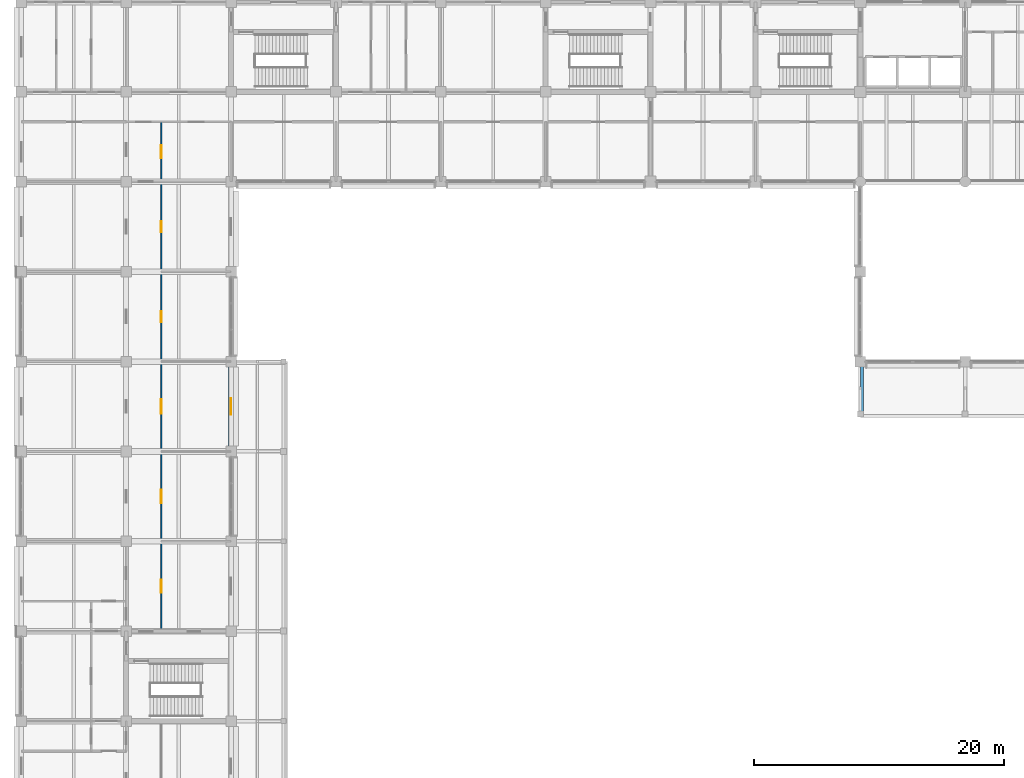
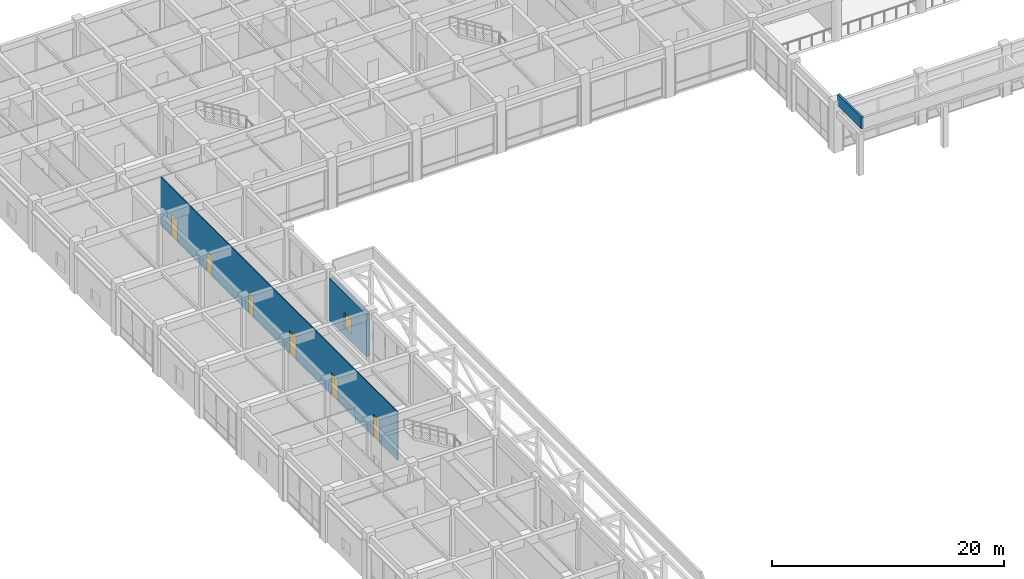
# One storey, part 38 of 68: 6 doors, 3 walls, 1 window, 7 openings.
"""IFC4 building model written with IfcOpenShell, lengths in metres."""

from ifc_helpers import new_model, si_unit, direction, frame, frame_2d, origin, place, context, subcontext, project, spatial, rectangle, extrude, material, layer, layer_set, type_object, element, fill, save


model = new_model("IFC4")

# Units and contexts
model_context = context("Model", 3, precision=1e-05, world=origin(), true_north=direction((0.0, 1.0)))
body_context = subcontext(model_context, "Body", "Model", "MODEL_VIEW")
ifc_project = project(units=[si_unit("LENGTHUNIT", "METRE"), si_unit("AREAUNIT", "SQUARE_METRE"), si_unit("VOLUMEUNIT", "CUBIC_METRE"), si_unit("PLANEANGLEUNIT", "RADIAN"), si_unit("MASSUNIT", "GRAM", prefix="KILO")], contexts=[model_context])

# Site, building, storey
site_placement = place(None, origin())
site = spatial("IfcSite", under=ifc_project, at=site_placement, CompositionType="ELEMENT")
building_placement = place(site_placement, origin())
building = spatial("IfcBuilding", under=site, at=building_placement, Name="Chengyuan Square Courthouse", CompositionType="ELEMENT")
storey_placement = place(building_placement, frame((0.0, 0.0, 5.39990234375)))
storey = spatial("IfcBuildingStorey", under=building, at=storey_placement, Name="L02", CompositionType="ELEMENT", Elevation=5.39990234375)

# Wall, opening, window
ifc_material_1 = material(Name="Concrete C40", Category="concrete")
ifc_layer_1 = layer(ifc_material_1, 0.3798828125)
ifc_layer_set_1 = layer_set([ifc_layer_1], Name="Concrete C40")
wall_type_1 = type_object("IfcWallType", Name="WL-EW1", PredefinedType="STANDARD", material=ifc_layer_set_1)
wall_1_placement = place(storey_placement, frame((16.800048828125, 58.02001953125, 0.0), z_axis=(0.0, 0.0, 1.0), x_axis=(0.0, 1.0, 0.0)))
wall_1 = element("IfcWall", 1, at=wall_1_placement, inside=storey, type_object=wall_type_1, Name="Exterior Wall WL-L02-E221", PredefinedType="STANDARD", context=body_context, shape_type="SweptSolid", body=[
    extrude(rectangle(XDim=6.35986328125, YDim=0.3798828125, at=frame_2d((3.179931640625, 0.0))), origin(), (0.0, 0.0, 1.0), 4.47021484375),
])
opening_1_placement = place(wall_1_placement, frame((2.5048828125, 0.0, 0.85009765625)))
opening_1 = element("IfcOpeningElement", 2, at=opening_1_placement, cuts=wall_1, Name="Opening WN-034", PredefinedType="OPENING", context=body_context, shape_type="SweptSolid", body=[
    extrude(rectangle(XDim=1.35009765625, YDim=1.56005859375, at=frame_2d((0.675048828125, 0.780029296875))), frame((0.0, 0.201904296875, 0.0), z_axis=(0.0, -1.0, 0.0), x_axis=(1.0, 0.0, 0.0)), (0.0, 0.0, 1.0), 0.40380859375),
])
ifc_material_2 = material(Name="Thermally Broken Aluminium Triple Low-E Window", Category="aluminium")
window_type = type_object("IfcWindowType", Name="WT-21", PartitioningType="SINGLE_PANEL", PredefinedType="WINDOW", material=ifc_material_2)
window_placement = place(opening_1_placement, origin())
window = element("IfcWindow", 3, at=window_placement, inside=storey, type_object=window_type, Name="Facade Window WN-034", OverallHeight=1.56005859375, OverallWidth=1.35009765625, PartitioningType="SINGLE_PANEL", PredefinedType="WINDOW", context=body_context, shape_type="SweptSolid", body=[
    extrude(rectangle(XDim=1.35009765625, YDim=1.56005859375, at=frame_2d((0.675048828125, 0.780029296875))), frame((0.0, 0.030029296875, 0.0), z_axis=(0.0, -1.0, 0.0), x_axis=(1.0, 0.0, 0.0)), (0.0, 0.0, 1.0), 0.06005859375),
])
fill(opening_1, window)

# Wall
ifc_layer_2 = layer(ifc_material_1, 0.219970703125)
ifc_layer_set_2 = layer_set([ifc_layer_2], Name="Concrete C40")
wall_type_2 = type_object("IfcWallType", Name="WL-PR1", PredefinedType="PARAPET", material=ifc_layer_set_2)
wall_2_placement = place(storey_placement, frame((67.340087890625, 64.5, 4.800048828125), z_axis=(0.0, 0.0, 1.0), x_axis=(0.0, -1.0, 0.0)))
element("IfcWall", 4, at=wall_2_placement, inside=storey, type_object=wall_type_2, Name="Roof Parapet Wall PAR-L02-011", PredefinedType="PARAPET", context=body_context, shape_type="SweptSolid", body=[
    extrude(rectangle(XDim=4.06005859375, YDim=0.219970703125, at=frame_2d((2.030029296875, 0.0))), origin(), (0.0, 0.0, 1.0), 1.199951171875),
])

# Wall, openings, doors
ifc_material_3 = material(Name="Gypsum Plasterboard Acoustic Stud Partition")
ifc_layer_3 = layer(ifc_material_3, 0.10009765625)
ifc_layer_set_3 = layer_set([ifc_layer_3], Name="Gypsum Plasterboard Acoustic Stud Partition")
wall_type_3 = type_object("IfcWallType", Name="WL-PT6", PredefinedType="STANDARD", material=ifc_layer_set_3)
wall_3_placement = place(storey_placement, frame((11.199951171875, 43.199951171875, 0.0), z_axis=(0.0, 0.0, 1.0), x_axis=(0.0, 1.0, 0.0)))
wall_3 = element("IfcWall", 5, at=wall_3_placement, inside=storey, type_object=wall_type_3, Name="Interior Wall WL-L02-I1214", PredefinedType="STANDARD", context=body_context, shape_type="SweptSolid", body=[
    extrude(rectangle(XDim=40.800048828125, YDim=0.10009765625, at=frame_2d((20.39990234375, 0.0))), origin(), (0.0, 0.0, 1.0), 5.1201171875),
])
opening_2_placement = place(wall_3_placement, frame((37.8701171875, 0.0, 0.0)))
opening_2 = element("IfcOpeningElement", 6, at=opening_2_placement, cuts=wall_3, Name="Opening DR-1254", PredefinedType="OPENING", context=body_context, shape_type="SweptSolid", body=[
    extrude(rectangle(XDim=1.06005859375, YDim=2.39990234375, at=frame_2d((0.530029296875, 1.199951171875))), frame((0.0, 0.06201171875, 0.0), z_axis=(0.0, -1.0, 0.0), x_axis=(1.0, 0.0, 0.0)), (0.0, 0.0, 1.0), 0.1240234375),
])
opening_3_placement = place(wall_3_placement, frame((3.090087890625, 0.0, 0.0)))
opening_3 = element("IfcOpeningElement", 7, at=opening_3_placement, cuts=wall_3, Name="Opening DR-1270", PredefinedType="OPENING", context=body_context, shape_type="SweptSolid", body=[
    extrude(rectangle(XDim=1.02001953125, YDim=2.39990234375, at=frame_2d((0.510009765625, 1.199951171875))), frame((0.0, 0.06201171875, 0.0), z_axis=(0.0, -1.0, 0.0), x_axis=(1.0, 0.0, 0.0)), (0.0, 0.0, 1.0), 0.1240234375),
])
opening_4_placement = place(wall_3_placement, frame((10.27001953125, 0.0, 0.0)))
opening_4 = element("IfcOpeningElement", 8, at=opening_4_placement, cuts=wall_3, Name="Opening DR-1271", PredefinedType="OPENING", context=body_context, shape_type="SweptSolid", body=[
    extrude(rectangle(XDim=1.06005859375, YDim=2.39990234375, at=frame_2d((0.530029296875, 1.199951171875))), frame((0.0, 0.06201171875, 0.0), z_axis=(0.0, -1.0, 0.0), x_axis=(1.0, 0.0, 0.0)), (0.0, 0.0, 1.0), 0.1240234375),
])
opening_5_placement = place(wall_3_placement, frame((17.429931640625, 0.0, 0.0)))
opening_5 = element("IfcOpeningElement", 9, at=opening_5_placement, cuts=wall_3, Name="Opening DR-1272", PredefinedType="OPENING", context=body_context, shape_type="SweptSolid", body=[
    extrude(rectangle(XDim=1.139892578125, YDim=2.39990234375, at=frame_2d((0.56982421875, 1.199951171875))), frame((0.0, 0.06201171875, 0.0), z_axis=(0.0, -1.0, 0.0), x_axis=(1.0, 0.0, 0.0)), (0.0, 0.0, 1.0), 0.1240234375),
])
opening_6_placement = place(wall_3_placement, frame((24.75, 0.0, 0.0)))
opening_6 = element("IfcOpeningElement", 10, at=opening_6_placement, cuts=wall_3, Name="Opening DR-1273", PredefinedType="OPENING", context=body_context, shape_type="SweptSolid", body=[
    extrude(rectangle(XDim=0.89990234375, YDim=2.14990234375, at=frame_2d((0.449951171875, 1.074951171875))), frame((0.0, 0.06201171875, 0.0), z_axis=(0.0, -1.0, 0.0), x_axis=(1.0, 0.0, 0.0)), (0.0, 0.0, 1.0), 0.1240234375),
])
opening_7_placement = place(wall_3_placement, frame((31.969970703125, 0.0, 0.0)))
opening_7 = element("IfcOpeningElement", 11, at=opening_7_placement, cuts=wall_3, Name="Opening DR-1274", PredefinedType="OPENING", context=body_context, shape_type="SweptSolid", body=[
    extrude(rectangle(XDim=0.860107421875, YDim=2.10009765625, at=frame_2d((0.43017578125, 1.050048828125))), frame((0.0, 0.06201171875, 0.0), z_axis=(0.0, -1.0, 0.0), x_axis=(1.0, 0.0, 0.0)), (0.0, 0.0, 1.0), 0.1240234375),
])
ifc_material_4 = material(Name="Acoustic Solid-Core Timber Door", Category="wood")
door_type_1 = type_object("IfcDoorType", Name="DT-27", OperationType="NOTDEFINED", PredefinedType="DOOR", material=ifc_material_4)
door_1_placement = place(opening_6_placement, origin())
door_1 = element("IfcDoor", 12, at=door_1_placement, inside=storey, type_object=door_type_1, Name="Interior Door DR-1273", OperationType="SINGLE_SWING_RIGHT", OverallHeight=2.14990234375, OverallWidth=0.89990234375, PredefinedType="DOOR", context=body_context, shape_type="SweptSolid", body=[
    extrude(rectangle(XDim=0.89990234375, YDim=2.14990234375, at=frame_2d((0.449951171875, 1.074951171875))), frame((0.0, 0.02490234375, 0.0), z_axis=(0.0, -1.0, 0.0), x_axis=(1.0, 0.0, 0.0)), (0.0, 0.0, 1.0), 0.050048828125),
])
fill(opening_6, door_1)
door_type_2 = type_object("IfcDoorType", Name="DT-28", OperationType="NOTDEFINED", PredefinedType="DOOR", material=ifc_material_4)
door_2_placement = place(opening_7_placement, origin())
door_2 = element("IfcDoor", 13, at=door_2_placement, inside=storey, type_object=door_type_2, Name="Interior Door DR-1274", OperationType="SINGLE_SWING_LEFT", OverallHeight=2.10009765625, OverallWidth=0.860107421875, PredefinedType="DOOR", context=body_context, shape_type="SweptSolid", body=[
    extrude(rectangle(XDim=0.860107421875, YDim=2.10009765625, at=frame_2d((0.43017578125, 1.050048828125))), frame((0.0, 0.02490234375, 0.0), z_axis=(0.0, -1.0, 0.0), x_axis=(1.0, 0.0, 0.0)), (0.0, 0.0, 1.0), 0.050048828125),
])
fill(opening_7, door_2)
door_type_3 = type_object("IfcDoorType", Name="DT-41", OperationType="NOTDEFINED", PredefinedType="DOOR", material=ifc_material_4)
door_3_placement = place(opening_3_placement, origin())
door_3 = element("IfcDoor", 14, at=door_3_placement, inside=storey, type_object=door_type_3, Name="Interior Door DR-1270", OperationType="SINGLE_SWING_LEFT", OverallHeight=2.39990234375, OverallWidth=1.02001953125, PredefinedType="DOOR", context=body_context, shape_type="SweptSolid", body=[
    extrude(rectangle(XDim=1.02001953125, YDim=2.39990234375, at=frame_2d((0.510009765625, 1.199951171875))), frame((0.0, 0.02490234375, 0.0), z_axis=(0.0, -1.0, 0.0), x_axis=(1.0, 0.0, 0.0)), (0.0, 0.0, 1.0), 0.050048828125),
])
fill(opening_3, door_3)
door_type_4 = type_object("IfcDoorType", Name="DT-42", OperationType="NOTDEFINED", PredefinedType="DOOR", material=ifc_material_4)
door_4_placement = place(opening_2_placement, origin())
door_4 = element("IfcDoor", 15, at=door_4_placement, inside=storey, type_object=door_type_4, Name="Interior Door DR-1254", OperationType="SINGLE_SWING_LEFT", OverallHeight=2.39990234375, OverallWidth=1.06005859375, PredefinedType="DOOR", context=body_context, shape_type="SweptSolid", body=[
    extrude(rectangle(XDim=1.06005859375, YDim=2.39990234375, at=frame_2d((0.530029296875, 1.199951171875))), frame((0.0, 0.02490234375, 0.0), z_axis=(0.0, -1.0, 0.0), x_axis=(1.0, 0.0, 0.0)), (0.0, 0.0, 1.0), 0.050048828125),
])
fill(opening_2, door_4)
door_5_placement = place(opening_4_placement, origin())
door_5 = element("IfcDoor", 16, at=door_5_placement, inside=storey, type_object=door_type_4, Name="Interior Door DR-1271", OperationType="SINGLE_SWING_RIGHT", OverallHeight=2.39990234375, OverallWidth=1.06005859375, PredefinedType="DOOR", context=body_context, shape_type="SweptSolid", body=[
    extrude(rectangle(XDim=1.06005859375, YDim=2.39990234375, at=frame_2d((0.530029296875, 1.199951171875))), frame((0.0, 0.02490234375, 0.0), z_axis=(0.0, -1.0, 0.0), x_axis=(1.0, 0.0, 0.0)), (0.0, 0.0, 1.0), 0.050048828125),
])
fill(opening_4, door_5)
door_type_5 = type_object("IfcDoorType", Name="DT-43", OperationType="NOTDEFINED", PredefinedType="DOOR", material=ifc_material_4)
door_6_placement = place(opening_5_placement, origin())
door_6 = element("IfcDoor", 17, at=door_6_placement, inside=storey, type_object=door_type_5, Name="Interior Door DR-1272", OperationType="SINGLE_SWING_LEFT", OverallHeight=2.39990234375, OverallWidth=1.139892578125, PredefinedType="DOOR", context=body_context, shape_type="SweptSolid", body=[
    extrude(rectangle(XDim=1.139892578125, YDim=2.39990234375, at=frame_2d((0.56982421875, 1.199951171875))), frame((0.0, 0.02490234375, 0.0), z_axis=(0.0, -1.0, 0.0), x_axis=(1.0, 0.0, 0.0)), (0.0, 0.0, 1.0), 0.050048828125),
])
fill(opening_5, door_6)

save(model, "model.ifc")
